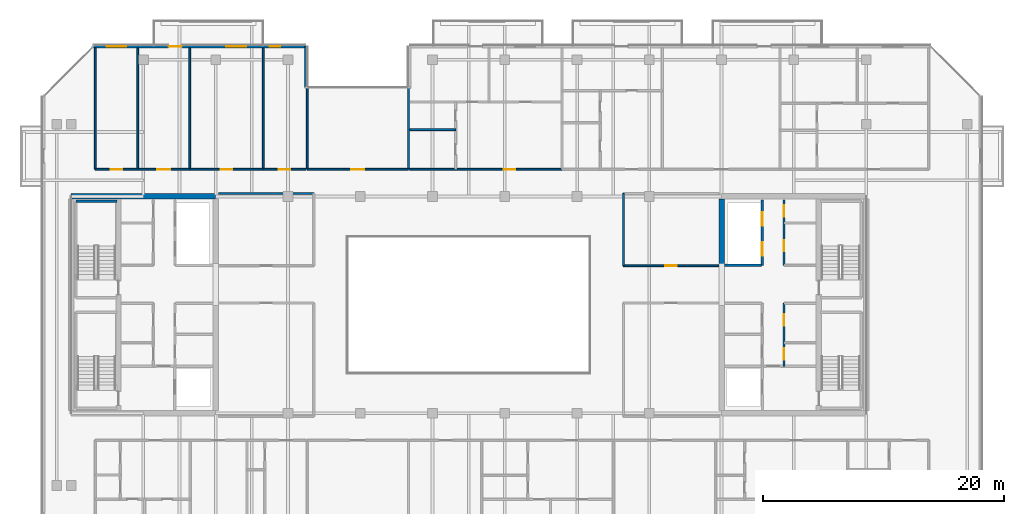
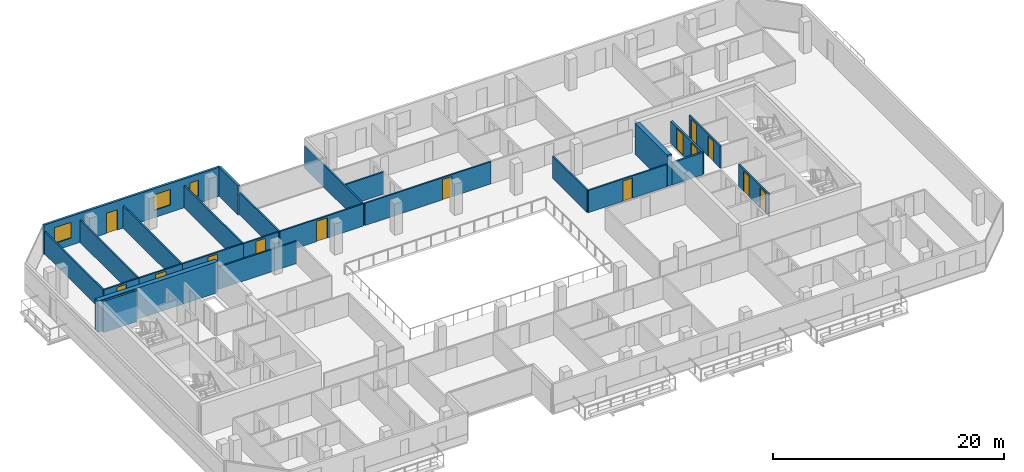
# One storey, part 21 of 29: 25 walls, 14 doors, 3 windows, 17 openings.
"""IFC4 building model written with IfcOpenShell, lengths in metres."""

from ifc_helpers import new_model, si_unit, direction, frame, frame_2d, origin, place, context, subcontext, project, spatial, rectangle, extrude, material, layer, layer_set, type_object, element, fill, save


model = new_model("IFC4")

# Units and contexts
model_context = context("Model", 3, precision=1e-05, world=origin(), true_north=direction((0.0, 1.0)))
body_context = subcontext(model_context, "Body", "Model", "MODEL_VIEW")
ifc_project = project(units=[si_unit("LENGTHUNIT", "METRE"), si_unit("AREAUNIT", "SQUARE_METRE"), si_unit("VOLUMEUNIT", "CUBIC_METRE"), si_unit("PLANEANGLEUNIT", "RADIAN"), si_unit("MASSUNIT", "GRAM", prefix="KILO")], contexts=[model_context])

# Site, building, storey
site_placement = place(None, origin())
site = spatial("IfcSite", under=ifc_project, at=site_placement, CompositionType="ELEMENT")
building_placement = place(site_placement, origin())
building = spatial("IfcBuilding", under=site, at=building_placement, Name="Tanjung Sevakor Pilgrim Tower", CompositionType="ELEMENT")
storey_placement = place(building_placement, frame((0.0, 0.0, 188.429931640625)))
storey = spatial("IfcBuildingStorey", under=building, at=storey_placement, Name="L52", CompositionType="ELEMENT", Elevation=188.429931640625)

# Walls
ifc_material_1 = material(Name="Concrete C60/75", Category="concrete")
ifc_layer_1 = layer(ifc_material_1, 0.449951171875)
ifc_layer_set_1 = layer_set([ifc_layer_1], Name="WALL-CW-450")
wall_type_1 = type_object("IfcWallType", Name="WALL-CW-450", PredefinedType="SHEAR", material=ifc_layer_set_1)
wall_1_placement = place(storey_placement, frame((36.0, 42.60009765625, 0.0), z_axis=(0.0, 0.0, 1.0), x_axis=(-1.0, 0.0, 0.0)))
element("IfcWall", 1, at=wall_1_placement, inside=storey, type_object=wall_type_1, Name="L52 W Core North Shear Wall", PredefinedType="SHEAR", context=body_context, shape_type="SweptSolid", body=[
    extrude(rectangle(XDim=12.0, YDim=0.449951171875, at=frame_2d((6.0, 0.0))), origin(), (0.0, 0.0, 1.0), 3.300048828125),
])
wall_2_placement = place(storey_placement, frame((78.0, 36.800048828125, 0.0), z_axis=(0.0, 0.0, 1.0), x_axis=(0.0, 1.0, 0.0)))
element("IfcWall", 2, at=wall_2_placement, inside=storey, type_object=wall_type_1, Name="L52 E Core Inner Shear Wall North", PredefinedType="SHEAR", context=body_context, shape_type="SweptSolid", body=[
    extrude(rectangle(XDim=5.574951171875, YDim=0.449951171875, at=frame_2d((2.78759765625, 0.0))), origin(), (0.0, 0.0, 1.0), 3.300048828125),
])

# Wall, openings, doors
ifc_material_2 = material(Name="Concrete C40/50", Category="concrete")
ifc_layer_2 = layer(ifc_material_2, 0.14990234375)
ifc_layer_set_2 = layer_set([ifc_layer_2], Name="WT-COMP-150")
wall_type_2 = type_object("IfcWallType", Name="WT-COMP-150", PredefinedType="SOLIDWALL", material=ifc_layer_set_2)
wall_3_placement = place(storey_placement, frame((83.179931640625, 28.5, 0.0), z_axis=(0.0, 0.0, 1.0), x_axis=(0.0, 1.0, 0.0)))
wall_3 = element("IfcWall", 3, at=wall_3_placement, inside=storey, type_object=wall_type_2, Name="L52 Partition IW-L52-018", PredefinedType="SOLIDWALL", context=body_context, shape_type="SweptSolid", body=[
    extrude(rectangle(XDim=5.219970703125, YDim=0.14990234375, at=frame_2d((2.60986328125, 0.0))), origin(), (0.0, 0.0, 1.0), 2.35009765625),
])
opening_1_placement = place(wall_3_placement, frame((0.550048828125, 0.0, 0.0)))
opening_1 = element("IfcOpeningElement", 4, at=opening_1_placement, cuts=wall_3, Name="Opening ID-FD2", PredefinedType="OPENING", context=body_context, shape_type="SweptSolid", body=[
    extrude(rectangle(XDim=0.949951171875, YDim=2.14990234375, at=frame_2d((0.47509765625, 1.074951171875))), frame((0.0, 0.0849609375, 0.0), z_axis=(0.0, -1.0, 0.0), x_axis=(1.0, 0.0, 0.0)), (0.0, 0.0, 1.0), 0.169921875),
])
opening_2_placement = place(wall_3_placement, frame((3.35009765625, 0.0, 0.0)))
opening_2 = element("IfcOpeningElement", 5, at=opening_2_placement, cuts=wall_3, Name="Opening ID-FD2", PredefinedType="OPENING", context=body_context, shape_type="SweptSolid", body=[
    extrude(rectangle(XDim=0.949951171875, YDim=2.14990234375, at=frame_2d((0.47509765625, 1.074951171875))), frame((0.0, 0.0849609375, 0.0), z_axis=(0.0, -1.0, 0.0), x_axis=(1.0, 0.0, 0.0)), (0.0, 0.0, 1.0), 0.169921875),
])
ifc_material_3 = material(Name="Fire-Rated Timber", Category="wood")
door_type_1 = type_object("IfcDoorType", Name="DT-FIRE-950", OperationType="NOTDEFINED", PredefinedType="DOOR", material=ifc_material_3)
door_1_placement = place(opening_1_placement, origin())
door_1 = element("IfcDoor", 6, at=door_1_placement, inside=storey, type_object=door_type_1, Name="L52 Cleaner Store Door", OperationType="SINGLE_SWING_LEFT", OverallHeight=2.14990234375, OverallWidth=0.949951171875, PredefinedType="DOOR", context=body_context, shape_type="SweptSolid", body=[
    extrude(rectangle(XDim=0.949951171875, YDim=2.14990234375, at=frame_2d((0.47509765625, 1.074951171875))), frame((0.0, 0.02490234375, 0.0), z_axis=(0.0, -1.0, 0.0), x_axis=(1.0, 0.0, 0.0)), (0.0, 0.0, 1.0), 0.050048828125),
])
fill(opening_1, door_1)
door_2_placement = place(opening_2_placement, origin())
door_2 = element("IfcDoor", 7, at=door_2_placement, inside=storey, type_object=door_type_1, Name="L52 Housekeeping Pantry Door", OperationType="SINGLE_SWING_RIGHT", OverallHeight=2.14990234375, OverallWidth=0.949951171875, PredefinedType="DOOR", context=body_context, shape_type="SweptSolid", body=[
    extrude(rectangle(XDim=0.949951171875, YDim=2.14990234375, at=frame_2d((0.47509765625, 1.074951171875))), frame((0.0, 0.02490234375, 0.0), z_axis=(0.0, -1.0, 0.0), x_axis=(1.0, 0.0, 0.0)), (0.0, 0.0, 1.0), 0.050048828125),
])
fill(opening_2, door_2)

wall_4_placement = place(storey_placement, frame((83.179931640625, 36.8798828125, 0.0), z_axis=(0.0, 0.0, 1.0), x_axis=(0.0, 1.0, 0.0)))
wall_4 = element("IfcWall", 8, at=wall_4_placement, inside=storey, type_object=wall_type_2, Name="L52 Partition IW-L52-024", PredefinedType="SOLIDWALL", context=body_context, shape_type="SweptSolid", body=[
    extrude(rectangle(XDim=5.420166015625, YDim=0.14990234375, at=frame_2d((2.7099609375, 0.0))), origin(), (0.0, 0.0, 1.0), 2.35009765625),
])
opening_3_placement = place(wall_4_placement, frame((1.14990234375, 0.0, 0.0)))
opening_3 = element("IfcOpeningElement", 9, at=opening_3_placement, cuts=wall_4, Name="Opening ID-FD2", PredefinedType="OPENING", context=body_context, shape_type="SweptSolid", body=[
    extrude(rectangle(XDim=0.949951171875, YDim=2.14990234375, at=frame_2d((0.47509765625, 1.074951171875))), frame((0.0, 0.0849609375, 0.0), z_axis=(0.0, -1.0, 0.0), x_axis=(1.0, 0.0, 0.0)), (0.0, 0.0, 1.0), 0.169921875),
])
opening_4_placement = place(wall_4_placement, frame((4.050048828125, 0.0, 0.0)))
opening_4 = element("IfcOpeningElement", 10, at=opening_4_placement, cuts=wall_4, Name="Opening ID-FD2", PredefinedType="OPENING", context=body_context, shape_type="SweptSolid", body=[
    extrude(rectangle(XDim=0.949951171875, YDim=2.14990234375, at=frame_2d((0.47509765625, 1.074951171875))), frame((0.0, 0.0849609375, 0.0), z_axis=(0.0, -1.0, 0.0), x_axis=(1.0, 0.0, 0.0)), (0.0, 0.0, 1.0), 0.169921875),
])
door_3_placement = place(opening_3_placement, origin())
door_3 = element("IfcDoor", 11, at=door_3_placement, inside=storey, type_object=door_type_1, Name="L52 Core Study Room Door", OperationType="SINGLE_SWING_LEFT", OverallHeight=2.14990234375, OverallWidth=0.949951171875, PredefinedType="DOOR", context=body_context, shape_type="SweptSolid", body=[
    extrude(rectangle(XDim=0.949951171875, YDim=2.14990234375, at=frame_2d((0.47509765625, 1.074951171875))), frame((0.0, 0.02490234375, 0.0), z_axis=(0.0, -1.0, 0.0), x_axis=(1.0, 0.0, 0.0)), (0.0, 0.0, 1.0), 0.050048828125),
])
fill(opening_3, door_3)
door_4_placement = place(opening_4_placement, origin())
door_4 = element("IfcDoor", 12, at=door_4_placement, inside=storey, type_object=door_type_1, Name="L52 Service Store Door", OperationType="SINGLE_SWING_RIGHT", OverallHeight=2.14990234375, OverallWidth=0.949951171875, PredefinedType="DOOR", context=body_context, shape_type="SweptSolid", body=[
    extrude(rectangle(XDim=0.949951171875, YDim=2.14990234375, at=frame_2d((0.47509765625, 1.074951171875))), frame((0.0, 0.02490234375, 0.0), z_axis=(0.0, -1.0, 0.0), x_axis=(1.0, 0.0, 0.0)), (0.0, 0.0, 1.0), 0.050048828125),
])
fill(opening_4, door_4)

# Wall
wall_5_placement = place(storey_placement, frame((36.2451171875, 42.85009765625, 0.0), z_axis=(0.0, 0.0, 1.0), x_axis=(1.0, 0.0, 0.0)))
element("IfcWall", 13, at=wall_5_placement, inside=storey, type_object=wall_type_2, Name="L52 Partition IW-L52-031", PredefinedType="SOLIDWALL", context=body_context, shape_type="SweptSolid", body=[
    extrude(rectangle(XDim=7.90478515625, YDim=0.14990234375, at=frame_2d((3.952392578125, 0.0))), origin(), (0.0, 0.0, 1.0), 2.35009765625),
])

# Wall, opening, door
wall_6_placement = place(storey_placement, frame((69.85009765625, 36.85009765625, 0.0), z_axis=(0.0, 0.0, 1.0), x_axis=(1.0, 0.0, 0.0)))
wall_6 = element("IfcWall", 14, at=wall_6_placement, inside=storey, type_object=wall_type_2, Name="L52 Partition IW-L52-036", PredefinedType="SOLIDWALL", context=body_context, shape_type="SweptSolid", body=[
    extrude(rectangle(XDim=7.90478515625, YDim=0.14990234375, at=frame_2d((3.952392578125, 0.0))), origin(), (0.0, 0.0, 1.0), 2.35009765625),
])
opening_5_placement = place(wall_6_placement, frame((3.4775390625, 0.0, 0.0)))
opening_5 = element("IfcOpeningElement", 15, at=opening_5_placement, cuts=wall_6, Name="Opening ID-RM1", PredefinedType="OPENING", context=body_context, shape_type="SweptSolid", body=[
    extrude(rectangle(XDim=0.949951171875, YDim=2.14990234375, at=frame_2d((0.47509765625, 1.074951171875))), frame((0.0, 0.0849609375, 0.0), z_axis=(0.0, -1.0, 0.0), x_axis=(1.0, 0.0, 0.0)), (0.0, 0.0, 1.0), 0.169921875),
])
ifc_material_4 = material(Name="Hardwood Timber", Category="wood")
door_type_2 = type_object("IfcDoorType", Name="DT-INT-950", OperationType="NOTDEFINED", PredefinedType="DOOR", material=ifc_material_4)
door_5_placement = place(opening_5_placement, origin())
door_5 = element("IfcDoor", 16, at=door_5_placement, inside=storey, type_object=door_type_2, Name="L52 East Inboard North Door", OperationType="SINGLE_SWING_RIGHT", OverallHeight=2.14990234375, OverallWidth=0.949951171875, PredefinedType="DOOR", context=body_context, shape_type="SweptSolid", body=[
    extrude(rectangle(XDim=0.949951171875, YDim=2.14990234375, at=frame_2d((0.47509765625, 1.074951171875))), frame((0.0, 0.02490234375, 0.0), z_axis=(0.0, -1.0, 0.0), x_axis=(1.0, 0.0, 0.0)), (0.0, 0.0, 1.0), 0.050048828125),
])
fill(opening_5, door_5)

# Wall
wall_7_placement = place(storey_placement, frame((69.85009765625, 36.85009765625, 0.0), z_axis=(0.0, 0.0, 1.0), x_axis=(0.0, 1.0, 0.0)))
element("IfcWall", 17, at=wall_7_placement, inside=storey, type_object=wall_type_2, Name="L52 Partition IW-L52-038", PredefinedType="SOLIDWALL", context=body_context, shape_type="SweptSolid", body=[
    extrude(rectangle(XDim=6.0, YDim=0.14990234375, at=frame_2d((3.0, 0.0))), origin(), (0.0, 0.0, 1.0), 2.35009765625),
])

# Wall, opening, door
wall_8_placement = place(storey_placement, frame((43.60009765625, 44.85009765625, 0.0), z_axis=(0.0, 0.0, 1.0), x_axis=(1.0, 0.0, 0.0)))
wall_8 = element("IfcWall", 18, at=wall_8_placement, inside=storey, type_object=wall_type_2, Name="L52 Partition IW-L52-042", PredefinedType="SOLIDWALL", context=body_context, shape_type="SweptSolid", body=[
    extrude(rectangle(XDim=8.39990234375, YDim=0.14990234375, at=frame_2d((4.199951171875, 0.0))), origin(), (0.0, 0.0, 1.0), 2.35009765625),
])
opening_6_placement = place(wall_8_placement, frame((3.64990234375, 0.0, 0.0)))
opening_6 = element("IfcOpeningElement", 19, at=opening_6_placement, cuts=wall_8, Name="Opening ID-RM2", PredefinedType="OPENING", context=body_context, shape_type="SweptSolid", body=[
    extrude(rectangle(XDim=1.10009765625, YDim=2.14990234375, at=frame_2d((0.550048828125, 1.074951171875))), frame((0.0, 0.0849609375, 0.0), z_axis=(0.0, -1.0, 0.0), x_axis=(1.0, 0.0, 0.0)), (0.0, 0.0, 1.0), 0.169921875),
])
ifc_material_5 = material(Name="Hardwood Timber", Category="wood")
door_type_3 = type_object("IfcDoorType", Name="DT-INT-1100", OperationType="NOTDEFINED", PredefinedType="DOOR", material=ifc_material_5)
door_6_placement = place(opening_6_placement, origin())
door_6 = element("IfcDoor", 20, at=door_6_placement, inside=storey, type_object=door_type_3, Name="L52 North Cleft Reading Room Door", OperationType="SINGLE_SWING_RIGHT", OverallHeight=2.14990234375, OverallWidth=1.10009765625, PredefinedType="DOOR", context=body_context, shape_type="SweptSolid", body=[
    extrude(rectangle(XDim=1.10009765625, YDim=2.14990234375, at=frame_2d((0.550048828125, 1.074951171875))), frame((0.0, 0.02490234375, 0.0), z_axis=(0.0, -1.0, 0.0), x_axis=(1.0, 0.0, 0.0)), (0.0, 0.0, 1.0), 0.050048828125),
])
fill(opening_6, door_6)

# Walls
for number, where, z_axis, x_axis, name in (
    (21, (43.60009765625, 44.85009765625, 0.0), (0.0, 0.0, 1.0), (0.0, 1.0, 0.0), "L52 Partition IW-L52-043"),
    (22, (52.0, 44.85009765625, 0.0), (0.0, 0.0, 1.0), (0.0, 1.0, 0.0), "L52 Partition IW-L52-044"),
    (23, (26.0, 44.85009765625, 0.0), (0.0, 0.0, 1.0), (0.0, 1.0, 0.0), "L52 Partition IW-L52-077"),
    (24, (29.52880859375, 44.85009765625, 0.0), (0.0, 0.0, 1.0), (0.0, 1.0, 0.0), "L52 Partition IW-L52-078"),
):
    element("IfcWall", number, at=place(storey_placement, frame(where, z_axis=z_axis, x_axis=x_axis)), inside=storey, type_object=wall_type_2, Name=name, PredefinedType="SOLIDWALL", context=body_context, shape_type="SweptSolid", body=[
        extrude(rectangle(XDim=10.079833984375, YDim=0.14990234375, at=frame_2d((5.0400390625, 0.0))), origin(), (0.0, 0.0, 1.0), 2.35009765625),
    ])

# Wall, opening, door
wall_9_placement = place(storey_placement, frame((26.0, 44.85009765625, 0.0), z_axis=(0.0, 0.0, 1.0), x_axis=(1.0, 0.0, 0.0)))
wall_9 = element("IfcWall", 25, at=wall_9_placement, inside=storey, type_object=wall_type_2, Name="L52 Partition IW-L52-079", PredefinedType="SOLIDWALL", context=body_context, shape_type="SweptSolid", body=[
    extrude(rectangle(XDim=3.52880859375, YDim=0.14990234375, at=frame_2d((1.764404296875, 0.0))), origin(), (0.0, 0.0, 1.0), 2.35009765625),
])
opening_7_placement = place(wall_9_placement, frame((1.289306640625, 0.0, 0.0)))
opening_7 = element("IfcOpeningElement", 26, at=opening_7_placement, cuts=wall_9, Name="Opening ID-FD2", PredefinedType="OPENING", context=body_context, shape_type="SweptSolid", body=[
    extrude(rectangle(XDim=0.949951171875, YDim=2.14990234375, at=frame_2d((0.47509765625, 1.074951171875))), frame((0.0, 0.0849609375, 0.0), z_axis=(0.0, -1.0, 0.0), x_axis=(1.0, 0.0, 0.0)), (0.0, 0.0, 1.0), 0.169921875),
])
door_7_placement = place(opening_7_placement, origin())
door_7 = element("IfcDoor", 27, at=door_7_placement, inside=storey, type_object=door_type_1, Name="Study Room Entrance", OperationType="SINGLE_SWING_LEFT", OverallHeight=2.14990234375, OverallWidth=0.949951171875, PredefinedType="DOOR", context=body_context, shape_type="SweptSolid", body=[
    extrude(rectangle(XDim=0.949951171875, YDim=2.14990234375, at=frame_2d((0.47509765625, 1.074951171875))), frame((0.0, 0.02490234375, 0.0), z_axis=(0.0, -1.0, 0.0), x_axis=(1.0, 0.0, 0.0)), (0.0, 0.0, 1.0), 0.050048828125),
])
fill(opening_7, door_7)

# Wall
wall_10_placement = place(storey_placement, frame((33.841552734375, 44.85009765625, 0.0), z_axis=(0.0, 0.0, 1.0), x_axis=(0.0, 1.0, 0.0)))
element("IfcWall", 28, at=wall_10_placement, inside=storey, type_object=wall_type_2, Name="L52 Partition IW-L52-080", PredefinedType="SOLIDWALL", context=body_context, shape_type="SweptSolid", body=[
    extrude(rectangle(XDim=10.079833984375, YDim=0.14990234375, at=frame_2d((5.0400390625, 0.0))), origin(), (0.0, 0.0, 1.0), 2.35009765625),
])

# Wall, opening, door
wall_11_placement = place(storey_placement, frame((29.52880859375, 44.85009765625, 0.0), z_axis=(0.0, 0.0, 1.0), x_axis=(1.0, 0.0, 0.0)))
wall_11 = element("IfcWall", 29, at=wall_11_placement, inside=storey, type_object=wall_type_2, Name="L52 Partition IW-L52-081", PredefinedType="SOLIDWALL", context=body_context, shape_type="SweptSolid", body=[
    extrude(rectangle(XDim=4.312744140625, YDim=0.14990234375, at=frame_2d((2.15625, 0.0))), origin(), (0.0, 0.0, 1.0), 2.35009765625),
])
opening_8_placement = place(wall_11_placement, frame((1.6064453125, 0.0, 0.0)))
opening_8 = element("IfcOpeningElement", 30, at=opening_8_placement, cuts=wall_11, Name="Opening ID-FD0", PredefinedType="OPENING", context=body_context, shape_type="SweptSolid", body=[
    extrude(rectangle(XDim=1.10009765625, YDim=2.14990234375, at=frame_2d((0.550048828125, 1.074951171875))), frame((0.0, 0.0849609375, 0.0), z_axis=(0.0, -1.0, 0.0), x_axis=(1.0, 0.0, 0.0)), (0.0, 0.0, 1.0), 0.169921875),
])
ifc_material_6 = material(Name="Fire-Rated Steel S355J2", Category="steel")
door_type_4 = type_object("IfcDoorType", Name="DT-FIRE-1100", OperationType="NOTDEFINED", PredefinedType="DOOR", material=ifc_material_6)
door_8_placement = place(opening_8_placement, origin())
door_8 = element("IfcDoor", 31, at=door_8_placement, inside=storey, type_object=door_type_4, Name="Seminar Room Door", OperationType="SINGLE_SWING_RIGHT", OverallHeight=2.14990234375, OverallWidth=1.10009765625, PredefinedType="DOOR", context=body_context, shape_type="SweptSolid", body=[
    extrude(rectangle(XDim=1.10009765625, YDim=2.14990234375, at=frame_2d((0.550048828125, 1.074951171875))), frame((0.0, 0.02490234375, 0.0), z_axis=(0.0, -1.0, 0.0), x_axis=(1.0, 0.0, 0.0)), (0.0, 0.0, 1.0), 0.050048828125),
])
fill(opening_8, door_8)

# Wall
wall_12_placement = place(storey_placement, frame((39.951416015625, 44.85009765625, 0.0), z_axis=(0.0, 0.0, 1.0), x_axis=(0.0, 1.0, 0.0)))
element("IfcWall", 32, at=wall_12_placement, inside=storey, type_object=wall_type_2, Name="L52 Partition IW-L52-082", PredefinedType="SOLIDWALL", context=body_context, shape_type="SweptSolid", body=[
    extrude(rectangle(XDim=10.079833984375, YDim=0.14990234375, at=frame_2d((5.0400390625, 0.0))), origin(), (0.0, 0.0, 1.0), 2.35009765625),
])

# Wall, opening, door
wall_13_placement = place(storey_placement, frame((33.841552734375, 44.85009765625, 0.0), z_axis=(0.0, 0.0, 1.0), x_axis=(1.0, 0.0, 0.0)))
wall_13 = element("IfcWall", 33, at=wall_13_placement, inside=storey, type_object=wall_type_2, Name="L52 Partition IW-L52-083", PredefinedType="SOLIDWALL", context=body_context, shape_type="SweptSolid", body=[
    extrude(rectangle(XDim=6.10986328125, YDim=0.14990234375, at=frame_2d((3.054931640625, 0.0))), origin(), (0.0, 0.0, 1.0), 2.35009765625),
])
opening_9_placement = place(wall_13_placement, frame((2.579833984375, 0.0, 0.0)))
opening_9 = element("IfcOpeningElement", 34, at=opening_9_placement, cuts=wall_13, Name="Opening ID-FD2", PredefinedType="OPENING", context=body_context, shape_type="SweptSolid", body=[
    extrude(rectangle(XDim=0.949951171875, YDim=2.14990234375, at=frame_2d((0.47509765625, 1.074951171875))), frame((0.0, 0.0849609375, 0.0), z_axis=(0.0, -1.0, 0.0), x_axis=(1.0, 0.0, 0.0)), (0.0, 0.0, 1.0), 0.169921875),
])
door_9_placement = place(opening_9_placement, origin())
door_9 = element("IfcDoor", 35, at=door_9_placement, inside=storey, type_object=door_type_1, Name="Study Room Entrance", OperationType="SINGLE_SWING_LEFT", OverallHeight=2.14990234375, OverallWidth=0.949951171875, PredefinedType="DOOR", context=body_context, shape_type="SweptSolid", body=[
    extrude(rectangle(XDim=0.949951171875, YDim=2.14990234375, at=frame_2d((0.47509765625, 1.074951171875))), frame((0.0, 0.02490234375, 0.0), z_axis=(0.0, -1.0, 0.0), x_axis=(1.0, 0.0, 0.0)), (0.0, 0.0, 1.0), 0.050048828125),
])
fill(opening_9, door_9)

wall_14_placement = place(storey_placement, frame((39.951416015625, 44.85009765625, 0.0), z_axis=(0.0, 0.0, 1.0), x_axis=(1.0, 0.0, 0.0)))
wall_14 = element("IfcWall", 36, at=wall_14_placement, inside=storey, type_object=wall_type_2, Name="L52 Partition IW-L52-084", PredefinedType="SOLIDWALL", context=body_context, shape_type="SweptSolid", body=[
    extrude(rectangle(XDim=3.528564453125, YDim=0.14990234375, at=frame_2d((1.76416015625, 0.0))), origin(), (0.0, 0.0, 1.0), 2.35009765625),
])
opening_10_placement = place(wall_14_placement, frame((1.289306640625, 0.0, 0.0)))
opening_10 = element("IfcOpeningElement", 37, at=opening_10_placement, cuts=wall_14, Name="Opening ID-FD2", PredefinedType="OPENING", context=body_context, shape_type="SweptSolid", body=[
    extrude(rectangle(XDim=0.949951171875, YDim=2.14990234375, at=frame_2d((0.47509765625, 1.074951171875))), frame((0.0, 0.0849609375, 0.0), z_axis=(0.0, -1.0, 0.0), x_axis=(1.0, 0.0, 0.0)), (0.0, 0.0, 1.0), 0.169921875),
])
door_10_placement = place(opening_10_placement, origin())
door_10 = element("IfcDoor", 38, at=door_10_placement, inside=storey, type_object=door_type_1, Name="Study Room Entrance", OperationType="SINGLE_SWING_RIGHT", OverallHeight=2.14990234375, OverallWidth=0.949951171875, PredefinedType="DOOR", context=body_context, shape_type="SweptSolid", body=[
    extrude(rectangle(XDim=0.949951171875, YDim=2.14990234375, at=frame_2d((0.47509765625, 1.074951171875))), frame((0.0, 0.02490234375, 0.0), z_axis=(0.0, -1.0, 0.0), x_axis=(1.0, 0.0, 0.0)), (0.0, 0.0, 1.0), 0.050048828125),
])
fill(opening_10, door_10)

wall_15_placement = place(storey_placement, frame((52.1201171875, 44.85009765625, 0.0), z_axis=(0.0, 0.0, 1.0), x_axis=(1.0, 0.0, 0.0)))
wall_15 = element("IfcWall", 39, at=wall_15_placement, inside=storey, type_object=wall_type_2, Name="L52 Partition IW-L52-091", PredefinedType="SOLIDWALL", context=body_context, shape_type="SweptSolid", body=[
    extrude(rectangle(XDim=12.63671875, YDim=0.14990234375, at=frame_2d((6.318359375, 0.0))), origin(), (0.0, 0.0, 1.0), 2.35009765625),
])
opening_11_placement = place(wall_15_placement, frame((7.783447265625, 0.0, 0.0)))
opening_11 = element("IfcOpeningElement", 40, at=opening_11_placement, cuts=wall_15, Name="Opening ID-FD2", PredefinedType="OPENING", context=body_context, shape_type="SweptSolid", body=[
    extrude(rectangle(XDim=0.949951171875, YDim=2.14990234375, at=frame_2d((0.47509765625, 1.074951171875))), frame((0.0, 0.0849609375, 0.0), z_axis=(0.0, -1.0, 0.0), x_axis=(1.0, 0.0, 0.0)), (0.0, 0.0, 1.0), 0.169921875),
])
door_11_placement = place(opening_11_placement, origin())
door_11 = element("IfcDoor", 41, at=door_11_placement, inside=storey, type_object=door_type_1, Name="Suite Entrance", OperationType="SINGLE_SWING_LEFT", OverallHeight=2.14990234375, OverallWidth=0.949951171875, PredefinedType="DOOR", context=body_context, shape_type="SweptSolid", body=[
    extrude(rectangle(XDim=0.949951171875, YDim=2.14990234375, at=frame_2d((0.47509765625, 1.074951171875))), frame((0.0, 0.02490234375, 0.0), z_axis=(0.0, -1.0, 0.0), x_axis=(1.0, 0.0, 0.0)), (0.0, 0.0, 1.0), 0.050048828125),
])
fill(opening_11, door_11)

# Wall
ifc_material_7 = material(Name="Precast concrete C45/55", Category="concrete")
ifc_layer_3 = layer(ifc_material_7, 0.219970703125)
ifc_layer_set_3 = layer_set([ifc_layer_3], Name="WT-EW-STN4")
wall_type_3 = type_object("IfcWallType", Name="WT-EW-STN4", PredefinedType="SOLIDWALL", material=ifc_layer_set_3)
wall_16_placement = place(storey_placement, frame((43.489990234375, 51.639892578125, 0.0), z_axis=(0.0, 0.0, 1.0), x_axis=(0.0, 1.0, 0.0)))
element("IfcWall", 42, at=wall_16_placement, inside=storey, type_object=wall_type_3, Name="L52 MAIN Exterior Wall 12", PredefinedType="SOLIDWALL", context=body_context, shape_type="SweptSolid", body=[
    extrude(rectangle(XDim=3.400146484375, YDim=0.219970703125, at=frame_2d((1.7001953125, 0.0))), origin(), (0.0, 0.0, 1.0), 3.080078125),
])

# Wall, openings, door, windows
wall_17_placement = place(storey_placement, frame((43.489990234375, 55.0400390625, 0.0), z_axis=(0.0, 0.0, 1.0), x_axis=(-1.0, 0.0, 0.0)))
wall_17 = element("IfcWall", 43, at=wall_17_placement, inside=storey, type_object=wall_type_3, Name="L52 MAIN Exterior Wall 13", PredefinedType="SOLIDWALL", context=body_context, shape_type="SweptSolid", body=[
    extrude(rectangle(XDim=17.644287109375, YDim=0.219970703125, at=frame_2d((8.822265625, 0.0))), origin(), (0.0, 0.0, 1.0), 3.080078125),
])
opening_12_placement = place(wall_17_placement, frame((10.2900390625, 0.0, 0.0)))
opening_12 = element("IfcOpeningElement", 44, at=opening_12_placement, cuts=wall_17, Name="Opening ED-BAL-1100", PredefinedType="OPENING", context=body_context, shape_type="SweptSolid", body=[
    extrude(rectangle(XDim=1.10009765625, YDim=2.14990234375, at=frame_2d((0.550048828125, 1.074951171875))), frame((0.0, 0.119873046875, 0.0), z_axis=(0.0, -1.0, 0.0), x_axis=(1.0, 0.0, 0.0)), (0.0, 0.0, 1.0), 0.239990234375),
])
opening_13_placement = place(wall_17_placement, frame((14.900634765625, 0.0, 0.780029296875)))
opening_13 = element("IfcOpeningElement", 45, at=opening_13_placement, cuts=wall_17, Name="Opening WN-Z4-1660", PredefinedType="OPENING", context=body_context, shape_type="SweptSolid", body=[
    extrude(rectangle(XDim=1.64990234375, YDim=1.659912109375, at=frame_2d((0.824951171875, 0.830078125))), frame((0.0, 0.119873046875, 0.0), z_axis=(0.0, -1.0, 0.0), x_axis=(1.0, 0.0, 0.0)), (0.0, 0.0, 1.0), 0.239990234375),
])
opening_14_placement = place(wall_17_placement, frame((4.968505859375, 0.0, 0.780029296875)))
opening_14 = element("IfcOpeningElement", 46, at=opening_14_placement, cuts=wall_17, Name="Opening WN-Z4-1660", PredefinedType="OPENING", context=body_context, shape_type="SweptSolid", body=[
    extrude(rectangle(XDim=1.64990234375, YDim=1.659912109375, at=frame_2d((0.824951171875, 0.830078125))), frame((0.0, 0.119873046875, 0.0), z_axis=(0.0, -1.0, 0.0), x_axis=(1.0, 0.0, 0.0)), (0.0, 0.0, 1.0), 0.239990234375),
])
opening_15_placement = place(wall_17_placement, frame((2.1494140625, 0.0, 0.780029296875)))
opening_15 = element("IfcOpeningElement", 47, at=opening_15_placement, cuts=wall_17, Name="Opening WN-SLM", PredefinedType="OPENING", context=body_context, shape_type="SweptSolid", body=[
    extrude(rectangle(XDim=0.85009765625, YDim=1.64990234375, at=frame_2d((0.425048828125, 0.824951171875))), frame((0.0, 0.119873046875, 0.0), z_axis=(0.0, -1.0, 0.0), x_axis=(1.0, 0.0, 0.0)), (0.0, 0.0, 1.0), 0.239990234375),
])
ifc_material_8 = material(Name="Anodised Aluminium and Laminated Glass", Category="aluminium")
door_type_5 = type_object("IfcDoorType", Name="DTYP-ED-BAL-1100", OperationType="NOTDEFINED", PredefinedType="DOOR", material=ifc_material_8)
door_12_placement = place(opening_12_placement, frame((1.10009765625, 0.0, 0.0), z_axis=(0.0, 0.0, 1.0), x_axis=(-1.0, 0.0, 0.0)))
door_12 = element("IfcDoor", 48, at=door_12_placement, inside=storey, type_object=door_type_5, Name="L52 Balcony Door MAIN-N1", OperationType="SINGLE_SWING_LEFT", OverallHeight=2.14990234375, OverallWidth=1.10009765625, PredefinedType="DOOR", context=body_context, shape_type="SweptSolid", body=[
    extrude(rectangle(XDim=1.10009765625, YDim=2.14990234375, at=frame_2d((0.550048828125, 1.074951171875))), frame((0.0, 0.02490234375, 0.0), z_axis=(0.0, -1.0, 0.0), x_axis=(1.0, 0.0, 0.0)), (0.0, 0.0, 1.0), 0.050048828125),
])
fill(opening_12, door_12)
ifc_material_9 = material(Name="Thermally Broken Aluminium and Low-E Glass", Category="aluminium")
window_type_1 = type_object("IfcWindowType", Name="WTYP-WN-SLM", PartitioningType="SINGLE_PANEL", PredefinedType="WINDOW", material=ifc_material_9)
window_1_placement = place(opening_15_placement, origin())
window_1 = element("IfcWindow", 49, at=window_1_placement, inside=storey, type_object=window_type_1, Name="L52 Facade Window 03", OverallHeight=1.64990234375, OverallWidth=0.85009765625, PartitioningType="SINGLE_PANEL", PredefinedType="WINDOW", context=body_context, shape_type="SweptSolid", body=[
    extrude(rectangle(XDim=0.85009765625, YDim=1.64990234375, at=frame_2d((0.425048828125, 0.824951171875))), frame((0.0, 0.030029296875, 0.0), z_axis=(0.0, -1.0, 0.0), x_axis=(1.0, 0.0, 0.0)), (0.0, 0.0, 1.0), 0.06005859375),
])
fill(opening_15, window_1)
ifc_material_10 = material(Name="Thermally Broken Aluminium and Low-E Glass", Category="aluminium")
window_type_2 = type_object("IfcWindowType", Name="WTYP-WN-Z4-1660", PartitioningType="DOUBLE_PANEL_VERTICAL", PredefinedType="WINDOW", material=ifc_material_10)
window_2_placement = place(opening_13_placement, origin())
window_2 = element("IfcWindow", 50, at=window_2_placement, inside=storey, type_object=window_type_2, Name="L52 Facade Window 01", OverallHeight=1.659912109375, OverallWidth=1.64990234375, PartitioningType="SINGLE_PANEL", PredefinedType="WINDOW", context=body_context, shape_type="SweptSolid", body=[
    extrude(rectangle(XDim=1.64990234375, YDim=1.659912109375, at=frame_2d((0.824951171875, 0.830078125))), frame((0.0, 0.030029296875, 0.0), z_axis=(0.0, -1.0, 0.0), x_axis=(1.0, 0.0, 0.0)), (0.0, 0.0, 1.0), 0.06005859375),
])
fill(opening_13, window_2)
window_3_placement = place(opening_14_placement, origin())
window_3 = element("IfcWindow", 51, at=window_3_placement, inside=storey, type_object=window_type_2, Name="L52 Facade Window 02", OverallHeight=1.659912109375, OverallWidth=1.64990234375, PartitioningType="SINGLE_PANEL", PredefinedType="WINDOW", context=body_context, shape_type="SweptSolid", body=[
    extrude(rectangle(XDim=1.64990234375, YDim=1.659912109375, at=frame_2d((0.824951171875, 0.830078125))), frame((0.0, 0.030029296875, 0.0), z_axis=(0.0, -1.0, 0.0), x_axis=(1.0, 0.0, 0.0)), (0.0, 0.0, 1.0), 0.06005859375),
])
fill(opening_14, window_3)

# Walls
ifc_material_11 = material(Name="Concrete C40/50", Category="concrete")
ifc_layer_4 = layer(ifc_material_11, 0.199951171875)
ifc_layer_set_4 = layer_set([ifc_layer_4], Name="WT-FIRE-200")
wall_type_4 = type_object("IfcWallType", Name="WT-FIRE-200", PredefinedType="SOLIDWALL", material=ifc_layer_set_4)
wall_18_placement = place(storey_placement, frame((27.800048828125, 42.199951171875, 0.0), z_axis=(0.0, 0.0, 1.0), x_axis=(-1.0, 0.0, 0.0)))
element("IfcWall", 52, at=wall_18_placement, inside=storey, type_object=wall_type_4, Name="L52 TS-W2 Shaft Wall 2", PredefinedType="SOLIDWALL", context=body_context, shape_type="SweptSolid", body=[
    extrude(rectangle(XDim=3.400146484375, YDim=0.199951171875, at=frame_2d((1.7001953125, 0.0))), origin(), (0.0, 0.0, 1.0), 3.300048828125),
])
ifc_material_12 = material(Name="Concrete C40/50", Category="concrete")
ifc_layer_5 = layer(ifc_material_12, 0.199951171875)
ifc_layer_set_5 = layer_set([ifc_layer_5], Name="WT-FPRT-200")
wall_type_5 = type_object("IfcWallType", Name="WT-FPRT-200", PredefinedType="SOLIDWALL", material=ifc_layer_set_5)
wall_19_placement = place(storey_placement, frame((78.2451171875, 36.8798828125, 0.0), z_axis=(0.0, 0.0, 1.0), x_axis=(1.0, 0.0, 0.0)))
element("IfcWall", 53, at=wall_19_placement, inside=storey, type_object=wall_type_5, Name="L52 Partition IW-L52-025", PredefinedType="SOLIDWALL", context=body_context, shape_type="SweptSolid", body=[
    extrude(rectangle(XDim=3.074951171875, YDim=0.199951171875, at=frame_2d((1.53759765625, 0.0))), origin(), (0.0, 0.0, 1.0), 2.35009765625),
])

# Wall, openings, doors
wall_20_placement = place(storey_placement, frame((81.3798828125, 36.8798828125, 0.0), z_axis=(0.0, 0.0, 1.0), x_axis=(0.0, 1.0, 0.0)))
wall_20 = element("IfcWall", 54, at=wall_20_placement, inside=storey, type_object=wall_type_5, Name="L52 Partition IW-L52-026", PredefinedType="SOLIDWALL", context=body_context, shape_type="SweptSolid", body=[
    extrude(rectangle(XDim=5.420166015625, YDim=0.199951171875, at=frame_2d((2.7099609375, 0.0))), origin(), (0.0, 0.0, 1.0), 2.35009765625),
])
opening_16_placement = place(wall_20_placement, frame((0.800048828125, 0.0, 0.0)))
opening_16 = element("IfcOpeningElement", 55, at=opening_16_placement, cuts=wall_20, Name="Opening LD-1100", PredefinedType="OPENING", context=body_context, shape_type="SweptSolid", body=[
    extrude(rectangle(XDim=1.10009765625, YDim=2.199951171875, at=frame_2d((0.550048828125, 1.10009765625))), frame((0.0, 0.10986328125, 0.0), z_axis=(0.0, -1.0, 0.0), x_axis=(1.0, 0.0, 0.0)), (0.0, 0.0, 1.0), 0.219970703125),
])
opening_17_placement = place(wall_20_placement, frame((3.300048828125, 0.0, 0.0)))
opening_17 = element("IfcOpeningElement", 56, at=opening_17_placement, cuts=wall_20, Name="Opening LD-1100", PredefinedType="OPENING", context=body_context, shape_type="SweptSolid", body=[
    extrude(rectangle(XDim=1.10009765625, YDim=2.199951171875, at=frame_2d((0.550048828125, 1.10009765625))), frame((0.0, 0.10986328125, 0.0), z_axis=(0.0, -1.0, 0.0), x_axis=(1.0, 0.0, 0.0)), (0.0, 0.0, 1.0), 0.219970703125),
])
ifc_material_13 = material(Name="Brushed Stainless Steel S355J2", Category="steel")
door_type_6 = type_object("IfcDoorType", Name="DT-LIFT-1100", OperationType="SLIDING_TO_LEFT", PredefinedType="DOOR", material=ifc_material_13)
door_13_placement = place(opening_16_placement, origin())
door_13 = element("IfcDoor", 57, at=door_13_placement, inside=storey, type_object=door_type_6, Name="LD-PLH1-E", OperationType="SLIDING_TO_LEFT", OverallHeight=2.199951171875, OverallWidth=1.10009765625, PredefinedType="DOOR", context=body_context, shape_type="SweptSolid", body=[
    extrude(rectangle(XDim=1.10009765625, YDim=2.199951171875, at=frame_2d((0.550048828125, 1.10009765625))), frame((0.0, 0.02490234375, 0.0), z_axis=(0.0, -1.0, 0.0), x_axis=(1.0, 0.0, 0.0)), (0.0, 0.0, 1.0), 0.050048828125),
])
fill(opening_16, door_13)
door_14_placement = place(opening_17_placement, origin())
door_14 = element("IfcDoor", 58, at=door_14_placement, inside=storey, type_object=door_type_6, Name="LD-PLH2-E", OperationType="SLIDING_TO_RIGHT", OverallHeight=2.199951171875, OverallWidth=1.10009765625, PredefinedType="DOOR", context=body_context, shape_type="SweptSolid", body=[
    extrude(rectangle(XDim=1.10009765625, YDim=2.199951171875, at=frame_2d((0.550048828125, 1.10009765625))), frame((0.0, 0.02490234375, 0.0), z_axis=(0.0, -1.0, 0.0), x_axis=(1.0, 0.0, 0.0)), (0.0, 0.0, 1.0), 0.050048828125),
])
fill(opening_17, door_14)

# Wall
ifc_material_14 = material(Name="Gypsum Board Partition", Category="gypsum board")
ifc_layer_6 = layer(ifc_material_14, 0.14990234375)
ifc_layer_set_6 = layer_set([ifc_layer_6], Name="WT-PART-150")
wall_type_6 = type_object("IfcWallType", Name="WT-PART-150", PredefinedType="PARTITIONING", material=ifc_layer_set_6)
wall_21_placement = place(storey_placement, frame((52.1201171875, 48.1484375, 0.0), z_axis=(0.0, 0.0, 1.0), x_axis=(1.0, 0.0, 0.0)))
element("IfcWall", 59, at=wall_21_placement, inside=storey, type_object=wall_type_6, Name="L52 Partition IW-L52-087", PredefinedType="PARTITIONING", context=body_context, shape_type="SweptSolid", body=[
    extrude(rectangle(XDim=3.7998046875, YDim=0.14990234375, at=frame_2d((1.89990234375, 0.0))), origin(), (0.0, 0.0, 1.0), 2.35009765625),
])

save(model, "model.ifc")
